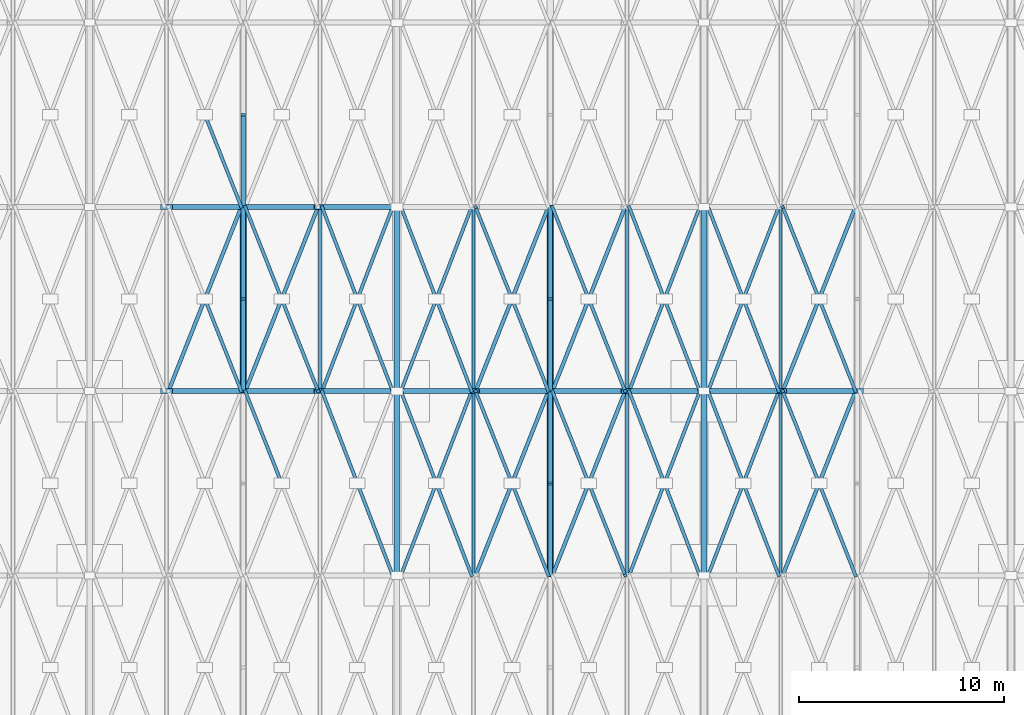
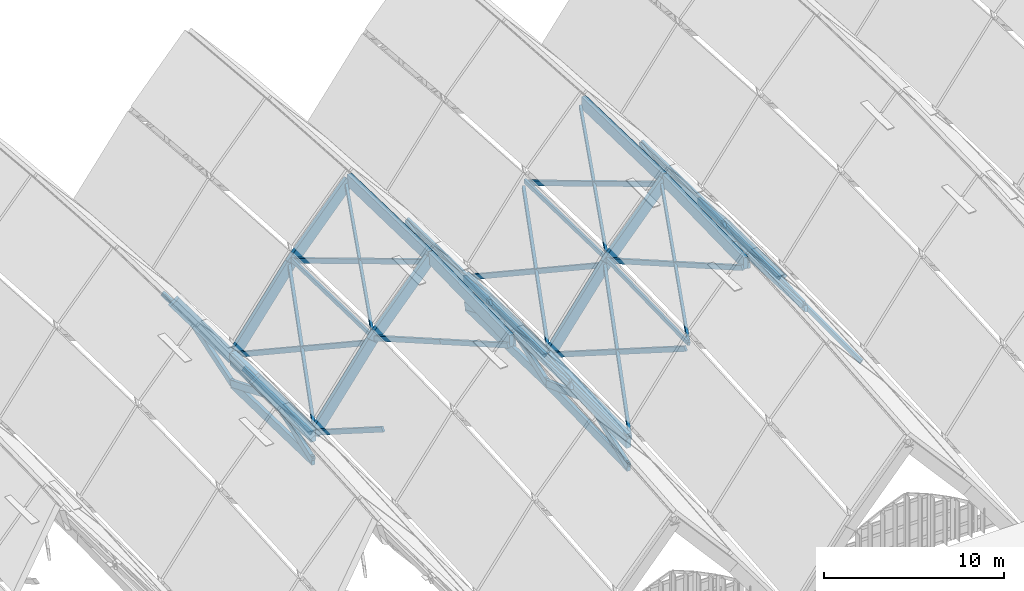
# One storey, part 37 of 93: 65 members, 19 beams.
"""IFC4 building model written with IfcOpenShell, lengths in metres."""

from ifc_helpers import new_model, si_unit, direction, frame, origin, origin_2d, place, context, subcontext, project, spatial, rectangle, extrude, material, material_profile, profile_set, type_object, element, save


model = new_model("IFC4")

# Units and contexts
model_context = context("Model", 3, precision=1e-05, world=origin(), true_north=direction((0.0, 1.0)))
body_context = subcontext(model_context, "Body", "Model", "MODEL_VIEW")
ifc_project = project(units=[si_unit("LENGTHUNIT", "METRE"), si_unit("AREAUNIT", "SQUARE_METRE"), si_unit("VOLUMEUNIT", "CUBIC_METRE"), si_unit("PLANEANGLEUNIT", "RADIAN"), si_unit("MASSUNIT", "GRAM", prefix="KILO")], contexts=[model_context])

# Site, building, storey
site_placement = place(None, origin())
site = spatial("IfcSite", under=ifc_project, at=site_placement, CompositionType="ELEMENT")
building_placement = place(site_placement, origin())
building = spatial("IfcBuilding", under=site, at=building_placement, Name="Vourika Railside Aquatics Centre", CompositionType="ELEMENT")
storey_placement = place(building_placement, frame((0.0, 0.0, 21.89990234375)))
storey = spatial("IfcBuildingStorey", under=building, at=storey_placement, Name="Roof", CompositionType="ELEMENT", Elevation=21.89990234375)

# Beams
ifc_material_1 = material(Name="Glulam GL32h", Category="wood")
ifc_material_profile_1 = material_profile(ifc_material_1, rectangle(XDim=0.239990234375, YDim=0.719970703125, at=origin_2d()), Name="GL32h 240x720")
ifc_profile_set_1 = profile_set([ifc_material_profile_1], Name="Glulam GL32h")
beam_type_1 = type_object("IfcBeamType", Name="BM-GL-ARCH-240x720", PredefinedType="BEAM", material=ifc_profile_set_1)
for number, where, z_axis, x_axis, name in (
    (1, (62.25, 39.0, -5.0), (0.592401494544, 0.0, -0.805642891896), (0.0, 1.0, 0.0), "Pointed Glulam Vault Arch Rib GAR-0050"),
    (2, (62.25, 48.0, -5.21435546875), (0.592401494544, 0.0, -0.805642891896), (0.0, 1.0, 0.0), "Pointed Glulam Vault Arch Rib GAR-0054"),
    (3, (66.0, 39.0, -10.099853515625), (0.592401494544, 0.0, 0.805642891896), (0.0, 1.0, 0.0), "Pointed Glulam Vault Arch Rib GAR-0081"),
):
    element("IfcBeam", number, at=place(storey_placement, frame(where, z_axis=z_axis, x_axis=x_axis)), inside=storey, type_object=beam_type_1, Name=name, PredefinedType="BEAM", context=body_context, shape_type="SweptSolid", body=[
        extrude(rectangle(XDim=0.239990234375, YDim=0.719970703125, at=origin_2d()), origin(), (0.0, 0.0, 1.0), 6.330078125),
    ])
for number, where, z_axis, x_axis, name in (
    (4, (69.75, 39.0, -5.0), (0.657258623263, 0.0, 0.75366511273), (0.0, 1.0, 0.0), "Pointed Glulam Vault Arch Rib GAR-0082"),
    (5, (73.5, 39.0, -0.699951171875), (0.657258623263, 0.0, -0.75366511273), (0.0, 1.0, 0.0), "Pointed Glulam Vault Arch Rib GAR-0083"),
):
    element("IfcBeam", number, at=place(storey_placement, frame(where, z_axis=z_axis, x_axis=x_axis)), inside=storey, type_object=beam_type_1, Name=name, PredefinedType="BEAM", context=body_context, shape_type="SweptSolid", body=[
        extrude(rectangle(XDim=0.239990234375, YDim=0.719970703125, at=origin_2d()), origin(), (0.0, 0.0, 1.0), 5.70556640625),
    ])
for number, where, z_axis, x_axis, name in (
    (6, (77.25, 39.0, -5.0), (0.592401494544, 0.0, -0.805642891896), (0.0, 1.0, 0.0), "Pointed Glulam Vault Arch Rib GAR-0084"),
    (7, (66.0, 48.0, -10.314208984375), (0.592401494544, 0.0, 0.805642891896), (0.0, 1.0, 0.0), "Pointed Glulam Vault Arch Rib GAR-0085"),
):
    element("IfcBeam", number, at=place(storey_placement, frame(where, z_axis=z_axis, x_axis=x_axis)), inside=storey, type_object=beam_type_1, Name=name, PredefinedType="BEAM", context=body_context, shape_type="SweptSolid", body=[
        extrude(rectangle(XDim=0.239990234375, YDim=0.719970703125, at=origin_2d()), origin(), (0.0, 0.0, 1.0), 6.330078125),
    ])
beam_1_placement = place(storey_placement, frame((69.75, 48.0, -5.21435546875), z_axis=(0.657258623263, 0.0, 0.75366511273), x_axis=(0.0, 1.0, 0.0)))
element("IfcBeam", 8, at=beam_1_placement, inside=storey, type_object=beam_type_1, Name="Pointed Glulam Vault Arch Rib GAR-0086", PredefinedType="BEAM", context=body_context, shape_type="SweptSolid", body=[
    extrude(rectangle(XDim=0.239990234375, YDim=0.719970703125, at=origin_2d()), origin(), (0.0, 0.0, 1.0), 5.70556640625),
])
beam_2_placement = place(storey_placement, frame((81.0, 39.0, -10.099853515625), z_axis=(0.592401494544, 0.0, 0.805642891896), x_axis=(0.0, 1.0, 0.0)))
element("IfcBeam", 9, at=beam_2_placement, inside=storey, type_object=beam_type_1, Name="Pointed Glulam Vault Arch Rib GAR-0115", PredefinedType="BEAM", context=body_context, shape_type="SweptSolid", body=[
    extrude(rectangle(XDim=0.239990234375, YDim=0.719970703125, at=origin_2d()), origin(), (0.0, 0.0, 1.0), 6.330078125),
])
for number, where, z_axis, x_axis, name in (
    (10, (84.75, 39.0, -5.0), (0.657258623263, 0.0, 0.75366511273), (0.0, 1.0, 0.0), "Pointed Glulam Vault Arch Rib GAR-0116"),
    (11, (88.5, 39.0, -0.699951171875), (0.657258623263, 0.0, -0.75366511273), (0.0, 1.0, 0.0), "Pointed Glulam Vault Arch Rib GAR-0117"),
):
    element("IfcBeam", number, at=place(storey_placement, frame(where, z_axis=z_axis, x_axis=x_axis)), inside=storey, type_object=beam_type_1, Name=name, PredefinedType="BEAM", context=body_context, shape_type="SweptSolid", body=[
        extrude(rectangle(XDim=0.239990234375, YDim=0.719970703125, at=origin_2d()), origin(), (0.0, 0.0, 1.0), 5.70556640625),
    ])
beam_3_placement = place(storey_placement, frame((92.25, 39.0, -5.0), z_axis=(0.592401494544, 0.0, -0.805642891896), x_axis=(0.0, 1.0, 0.0)))
element("IfcBeam", 12, at=beam_3_placement, inside=storey, type_object=beam_type_1, Name="Pointed Glulam Vault Arch Rib GAR-0118", PredefinedType="BEAM", context=body_context, shape_type="SweptSolid", body=[
    extrude(rectangle(XDim=0.239990234375, YDim=0.719970703125, at=origin_2d()), origin(), (0.0, 0.0, 1.0), 6.330078125),
])
ifc_material_profile_2 = material_profile(ifc_material_1, rectangle(XDim=0.280029296875, YDim=0.800048828125, at=origin_2d()), Name="GL32h 280x800")
ifc_profile_set_2 = profile_set([ifc_material_profile_2], Name="Glulam GL32h")
beam_type_2 = type_object("IfcBeamType", Name="BM-GL-RIDGE-280x800", PredefinedType="BEAM", material=ifc_profile_set_2)
for number, where, z_axis, x_axis, name in (
    (13, (73.5, 30.0, -0.914306640625), (0.0, 0.999716489335, 0.023810521854), (-1.0, 0.0, 0.0), "Vault Pointed Ridge Beam GRB-0099"),
    (14, (73.5, 39.0, -0.699951171875), (0.0, 0.999716489335, -0.023810521854), (-1.0, 0.0, 0.0), "Vault Pointed Ridge Beam GRB-0100"),
    (15, (88.5, 30.0, -0.914306640625), (0.0, 0.999716489335, 0.023810521854), (-1.0, 0.0, 0.0), "Vault Pointed Ridge Beam GRB-0133"),
    (16, (88.5, 39.0, -0.699951171875), (0.0, 0.999716489335, -0.023810521854), (-1.0, 0.0, 0.0), "Vault Pointed Ridge Beam GRB-0134"),
):
    element("IfcBeam", number, at=place(storey_placement, frame(where, z_axis=z_axis, x_axis=x_axis)), inside=storey, type_object=beam_type_2, Name=name, PredefinedType="BEAM", context=body_context, shape_type="SweptSolid", body=[
        extrude(rectangle(XDim=0.280029296875, YDim=0.800048828125, at=origin_2d()), origin(), (0.0, 0.0, 1.0), 9.00244140625),
    ])
ifc_material_profile_3 = material_profile(ifc_material_1, rectangle(XDim=0.320068359375, YDim=0.9599609375, at=origin_2d()), Name="GL32h 320x960")
ifc_profile_set_3 = profile_set([ifc_material_profile_3], Name="Glulam GL32h")
beam_type_3 = type_object("IfcBeamType", Name="BM-GL-VAL-320x960", PredefinedType="BEAM", material=ifc_profile_set_3)
for number, where, z_axis, x_axis, name in (
    (17, (66.0, 39.0, -10.099853515625), (0.0, 0.999716489335, -0.023810521854), (-1.0, 0.0, 0.0), "Vault Valley Arch Rib VTR-016"),
    (18, (81.0, 30.0, -10.314208984375), (0.0, 0.999716489335, 0.023810521854), (-1.0, 0.0, 0.0), "Vault Valley Arch Rib VTR-021"),
    (19, (81.0, 39.0, -10.099853515625), (0.0, 0.999716489335, -0.023810521854), (-1.0, 0.0, 0.0), "Vault Valley Arch Rib VTR-022"),
):
    element("IfcBeam", number, at=place(storey_placement, frame(where, z_axis=z_axis, x_axis=x_axis)), inside=storey, type_object=beam_type_3, Name=name, PredefinedType="BEAM", context=body_context, shape_type="SweptSolid", body=[
        extrude(rectangle(XDim=0.320068359375, YDim=0.9599609375, at=origin_2d()), origin(), (0.0, 0.0, 1.0), 9.00244140625),
    ])

# Members
ifc_material_profile_4 = material_profile(ifc_material_1, rectangle(XDim=0.219970703125, YDim=0.60009765625, at=origin_2d()), Name="GL32h 220x600")
ifc_profile_set_4 = profile_set([ifc_material_profile_4], Name="Glulam GL32h")
member_type_1 = type_object("IfcMemberType", Name="MEM-GL-CHORD", PredefinedType="CHORD", material=ifc_profile_set_4)
for number, where, z_axis, x_axis, name in (
    (20, (66.0, 39.0, -11.849853515625), (0.0, 0.999716489335, -0.023810521854), (-1.0, 0.0, 0.0), "Valley Arch Truss Bottom Chord VBC-016"),
    (21, (81.0, 30.0, -12.064208984375), (0.0, 0.999716489335, 0.023810521854), (-1.0, 0.0, 0.0), "Valley Arch Truss Bottom Chord VBC-021"),
    (22, (81.0, 39.0, -11.849853515625), (0.0, 0.999716489335, -0.023810521854), (-1.0, 0.0, 0.0), "Valley Arch Truss Bottom Chord VBC-022"),
):
    element("IfcMember", number, at=place(storey_placement, frame(where, z_axis=z_axis, x_axis=x_axis)), inside=storey, type_object=member_type_1, Name=name, PredefinedType="CHORD", context=body_context, shape_type="SweptSolid", body=[
        extrude(rectangle(XDim=0.219970703125, YDim=0.60009765625, at=origin_2d()), origin(), (0.0, 0.0, 1.0), 9.00244140625),
    ])
ifc_material_2 = material(Name="Glulam GL28h", Category="wood")
ifc_material_profile_5 = material_profile(ifc_material_2, rectangle(XDim=0.179931640625, YDim=0.360107421875, at=origin_2d()), Name="GL28h 180x360")
ifc_profile_set_5 = profile_set([ifc_material_profile_5], Name="Glulam GL28h")
member_type_2 = type_object("IfcMemberType", Name="MEM-GL-LATH1", PredefinedType="BRACE", material=ifc_profile_set_5)
member_1_placement = place(storey_placement, frame((62.344970703125, 39.0, -5.129150390625), z_axis=(0.326087343629, 0.824364547766, -0.462698753739), x_axis=(-0.929892910811, 0.367830360933, 0.0)))
element("IfcMember", 23, at=member_1_placement, inside=storey, type_object=member_type_2, Name="Gridshell Continuous Diagonal Lath GLA-0089", PredefinedType="BRACE", context=body_context, shape_type="SweptSolid", body=[
    extrude(rectangle(XDim=0.179931640625, YDim=0.360107421875, at=origin_2d()), origin(), (0.0, 0.0, 1.0), 10.91748046875),
])
for number, where, z_axis, x_axis, name in (
    (24, (77.344970703125, 30.0, -5.339111328125), (0.331795949467, 0.838796178929, -0.431662389064), (-0.929892910811, 0.367830360933, 0.0), "Gridshell Continuous Diagonal Lath GLA-0139"),
    (25, (66.094970703125, 39.0, -9.970703125), (0.331795949467, 0.838796178929, 0.431662389064), (-0.929892910811, 0.367830360933, 0.0), "Gridshell Continuous Diagonal Lath GLA-0143"),
):
    element("IfcMember", number, at=place(storey_placement, frame(where, z_axis=z_axis, x_axis=x_axis)), inside=storey, type_object=member_type_2, Name=name, PredefinedType="BRACE", context=body_context, shape_type="SweptSolid", body=[
        extrude(rectangle(XDim=0.179931640625, YDim=0.360107421875, at=origin_2d()), origin(), (0.0, 0.0, 1.0), 10.729736328125),
    ])
for number, where, z_axis, x_axis, name in (
    (26, (77.344970703125, 39.0, -5.129150390625), (0.326087343629, 0.824364547766, -0.462698753739), (-0.929892910811, 0.367830360933, 0.0), "Gridshell Continuous Diagonal Lath GLA-0149"),
    (27, (81.094970703125, 30.0, -10.1806640625), (0.326087343629, 0.824364547766, 0.462698753739), (-0.929892910811, 0.367830360933, 0.0), "Gridshell Continuous Diagonal Lath GLA-0193"),
):
    element("IfcMember", number, at=place(storey_placement, frame(where, z_axis=z_axis, x_axis=x_axis)), inside=storey, type_object=member_type_2, Name=name, PredefinedType="BRACE", context=body_context, shape_type="SweptSolid", body=[
        extrude(rectangle(XDim=0.179931640625, YDim=0.360107421875, at=origin_2d()), origin(), (0.0, 0.0, 1.0), 10.91748046875),
    ])
for number, where, z_axis, x_axis, name in (
    (28, (92.344970703125, 30.0, -5.339111328125), (0.331795949467, 0.838796178929, -0.431662389064), (-0.929892910811, 0.367830360933, 0.0), "Gridshell Continuous Diagonal Lath GLA-0199"),
    (29, (81.094970703125, 39.0, -9.970703125), (0.331795949467, 0.838796178929, 0.431662389064), (-0.929892910811, 0.367830360933, 0.0), "Gridshell Continuous Diagonal Lath GLA-0203"),
):
    element("IfcMember", number, at=place(storey_placement, frame(where, z_axis=z_axis, x_axis=x_axis)), inside=storey, type_object=member_type_2, Name=name, PredefinedType="BRACE", context=body_context, shape_type="SweptSolid", body=[
        extrude(rectangle(XDim=0.179931640625, YDim=0.360107421875, at=origin_2d()), origin(), (0.0, 0.0, 1.0), 10.729736328125),
    ])
member_2_placement = place(storey_placement, frame((92.344970703125, 39.0, -5.129150390625), z_axis=(0.326087343629, 0.824364547766, -0.462698753739), x_axis=(-0.929892910811, 0.367830360933, 0.0)))
element("IfcMember", 30, at=member_2_placement, inside=storey, type_object=member_type_2, Name="Gridshell Continuous Diagonal Lath GLA-0209", PredefinedType="BRACE", context=body_context, shape_type="SweptSolid", body=[
    extrude(rectangle(XDim=0.179931640625, YDim=0.360107421875, at=origin_2d()), origin(), (0.0, 0.0, 1.0), 10.91748046875),
])
ifc_material_profile_6 = material_profile(ifc_material_2, rectangle(XDim=0.159912109375, YDim=0.320068359375, at=origin_2d()), Name="GL28h 160x320")
ifc_profile_set_6 = profile_set([ifc_material_profile_6], Name="Glulam GL28h")
member_type_3 = type_object("IfcMemberType", Name="MEM-GL-LATH2", PredefinedType="BRACE", material=ifc_profile_set_6)
member_3_placement = place(storey_placement, frame((65.905029296875, 39.0, -9.970703125), z_axis=(-0.331792690542, 0.83878794021, 0.431680902823), x_axis=(-0.929892910811, -0.367830360933, 0.0)))
element("IfcMember", 31, at=member_3_placement, inside=storey, type_object=member_type_3, Name="Gridshell Split Counter Lath GLB1-0090", PredefinedType="BRACE", context=body_context, shape_type="SweptSolid", body=[
    extrude(rectangle(XDim=0.159912109375, YDim=0.320068359375, at=origin_2d()), origin(), (0.0, 0.0, 1.0), 5.364990234375),
])
member_4_placement = place(storey_placement, frame((65.905029296875, 48.0, -10.189453125), z_axis=(-0.336558619113, 0.85083643773, 0.403491824121), x_axis=(-0.929892910811, -0.367830360933, 0.0)))
element("IfcMember", 32, at=member_4_placement, inside=storey, type_object=member_type_3, Name="Gridshell Split Counter Lath GLB1-0100", PredefinedType="BRACE", context=body_context, shape_type="SweptSolid", body=[
    extrude(rectangle(XDim=0.159912109375, YDim=0.320068359375, at=origin_2d()), origin(), (0.0, 0.0, 1.0), 5.288818359375),
])
member_5_placement = place(storey_placement, frame((67.875, 34.5, -7.65478515625), z_axis=(-0.331792690542, 0.83878794021, -0.431680902823), x_axis=(-0.929892910811, -0.367830360933, 0.0)))
element("IfcMember", 33, at=member_5_placement, inside=storey, type_object=member_type_3, Name="Gridshell Split Counter Lath GLB2-0134", PredefinedType="BRACE", context=body_context, shape_type="SweptSolid", body=[
    extrude(rectangle(XDim=0.159912109375, YDim=0.320068359375, at=origin_2d()), origin(), (0.0, 0.0, 1.0), 5.364990234375),
])
for number, where, z_axis, x_axis, name in (
    (34, (73.300048828125, 30.0, -1.13916015625), (-0.333992041249, 0.870003010782, -0.362690057229), (-0.933569951957, -0.358395235463, 0.0), "Gridshell Split Counter Lath GLB1-0136"),
    (35, (71.572509765625, 34.5, -3.01513671875), (-0.333992041249, 0.870003010782, -0.362690057229), (-0.933569951957, -0.358395235463, 0.0), "Gridshell Split Counter Lath GLB2-0136"),
):
    element("IfcMember", number, at=place(storey_placement, frame(where, z_axis=z_axis, x_axis=x_axis)), inside=storey, type_object=member_type_3, Name=name, PredefinedType="BRACE", context=body_context, shape_type="SweptSolid", body=[
        extrude(rectangle(XDim=0.159912109375, YDim=0.320068359375, at=origin_2d()), origin(), (0.0, 0.0, 1.0), 5.17236328125),
    ])
member_6_placement = place(storey_placement, frame((73.699951171875, 30.0, -1.13916015625), z_axis=(0.333992041249, 0.870003010782, -0.362690057229), x_axis=(-0.933569951957, 0.358395235463, 0.0)))
element("IfcMember", 36, at=member_6_placement, inside=storey, type_object=member_type_3, Name="Gridshell Continuous Diagonal Lath GLA-0137", PredefinedType="BRACE", context=body_context, shape_type="SweptSolid", body=[
    extrude(rectangle(XDim=0.159912109375, YDim=0.320068359375, at=origin_2d()), origin(), (0.0, 0.0, 1.0), 10.3447265625),
])
for number, where, z_axis, x_axis, name in (
    (37, (77.155029296875, 30.0, -5.100830078125), (-0.328923766818, 0.856800857828, 0.397116413218), (-0.933569951957, -0.358395235463, 0.0), "Gridshell Split Counter Lath GLB1-0138"),
    (38, (75.427490234375, 34.5, -3.01513671875), (-0.328917694788, 0.856785041031, 0.397155565895), (-0.933569951957, -0.358395235463, 0.0), "Gridshell Split Counter Lath GLB2-0138"),
):
    element("IfcMember", number, at=place(storey_placement, frame(where, z_axis=z_axis, x_axis=x_axis)), inside=storey, type_object=member_type_3, Name=name, PredefinedType="BRACE", context=body_context, shape_type="SweptSolid", body=[
        extrude(rectangle(XDim=0.159912109375, YDim=0.320068359375, at=origin_2d()), origin(), (0.0, 0.0, 1.0), 5.252197265625),
    ])
for number, where, z_axis, x_axis, name in (
    (39, (80.905029296875, 30.0, -10.1806640625), (-0.326083969568, 0.824356017978, 0.462716328234), (-0.929892910811, -0.367830360933, 0.0), "Gridshell Split Counter Lath GLB1-0140"),
    (40, (79.125, 34.5, -7.65478515625), (-0.326090717631, 0.824373077407, 0.462681178699), (-0.929892910811, -0.367830360933, 0.0), "Gridshell Split Counter Lath GLB2-0140"),
    (41, (69.655029296875, 39.0, -5.129150390625), (-0.326090717631, 0.824373077407, -0.462681178699), (-0.929892910811, -0.367830360933, 0.0), "Gridshell Split Counter Lath GLB1-0144"),
    (42, (67.875, 43.5, -7.65478515625), (-0.326083969568, 0.824356017978, -0.462716328234), (-0.929892910811, -0.367830360933, 0.0), "Gridshell Split Counter Lath GLB2-0144"),
):
    element("IfcMember", number, at=place(storey_placement, frame(where, z_axis=z_axis, x_axis=x_axis)), inside=storey, type_object=member_type_3, Name=name, PredefinedType="BRACE", context=body_context, shape_type="SweptSolid", body=[
        extrude(rectangle(XDim=0.159912109375, YDim=0.320068359375, at=origin_2d()), origin(), (0.0, 0.0, 1.0), 5.458740234375),
    ])
member_7_placement = place(storey_placement, frame((69.844970703125, 39.0, -4.89111328125), z_axis=(0.333992041249, 0.870003010782, 0.362690057229), x_axis=(-0.933569951957, 0.358395235463, 0.0)))
element("IfcMember", 43, at=member_7_placement, inside=storey, type_object=member_type_3, Name="Gridshell Continuous Diagonal Lath GLA-0145", PredefinedType="BRACE", context=body_context, shape_type="SweptSolid", body=[
    extrude(rectangle(XDim=0.159912109375, YDim=0.320068359375, at=origin_2d()), origin(), (0.0, 0.0, 1.0), 10.3447265625),
])
for number, where, z_axis, x_axis, name in (
    (44, (73.300048828125, 39.0, -0.92919921875), (-0.328917694788, 0.856785041031, -0.397155565895), (-0.933569951957, -0.358395235463, 0.0), "Gridshell Split Counter Lath GLB1-0146"),
    (45, (71.572509765625, 43.5, -3.01513671875), (-0.328923766818, 0.856800857828, -0.397116413218), (-0.933569951957, -0.358395235463, 0.0), "Gridshell Split Counter Lath GLB2-0146"),
):
    element("IfcMember", number, at=place(storey_placement, frame(where, z_axis=z_axis, x_axis=x_axis)), inside=storey, type_object=member_type_3, Name=name, PredefinedType="BRACE", context=body_context, shape_type="SweptSolid", body=[
        extrude(rectangle(XDim=0.159912109375, YDim=0.320068359375, at=origin_2d()), origin(), (0.0, 0.0, 1.0), 5.252197265625),
    ])
member_8_placement = place(storey_placement, frame((73.699951171875, 39.0, -0.92919921875), z_axis=(0.32892073085, 0.856792949552, -0.397135989827), x_axis=(-0.933569951957, 0.358395235463, 0.0)))
element("IfcMember", 46, at=member_8_placement, inside=storey, type_object=member_type_3, Name="Gridshell Continuous Diagonal Lath GLA-0147", PredefinedType="BRACE", context=body_context, shape_type="SweptSolid", body=[
    extrude(rectangle(XDim=0.159912109375, YDim=0.320068359375, at=origin_2d()), origin(), (0.0, 0.0, 1.0), 10.50439453125),
])
for number, where, z_axis, x_axis, name in (
    (47, (77.155029296875, 39.0, -4.89111328125), (-0.333992041249, 0.870003010782, 0.362690057229), (-0.933569951957, -0.358395235463, 0.0), "Gridshell Split Counter Lath GLB1-0148"),
    (48, (75.427490234375, 43.5, -3.01513671875), (-0.333992041249, 0.870003010782, 0.362690057229), (-0.933569951957, -0.358395235463, 0.0), "Gridshell Split Counter Lath GLB2-0148"),
):
    element("IfcMember", number, at=place(storey_placement, frame(where, z_axis=z_axis, x_axis=x_axis)), inside=storey, type_object=member_type_3, Name=name, PredefinedType="BRACE", context=body_context, shape_type="SweptSolid", body=[
        extrude(rectangle(XDim=0.159912109375, YDim=0.320068359375, at=origin_2d()), origin(), (0.0, 0.0, 1.0), 5.17236328125),
    ])
member_9_placement = place(storey_placement, frame((80.905029296875, 39.0, -9.970703125), z_axis=(-0.331792690542, 0.83878794021, 0.431680902823), x_axis=(-0.929892910811, -0.367830360933, 0.0)))
element("IfcMember", 49, at=member_9_placement, inside=storey, type_object=member_type_3, Name="Gridshell Split Counter Lath GLB1-0150", PredefinedType="BRACE", context=body_context, shape_type="SweptSolid", body=[
    extrude(rectangle(XDim=0.159912109375, YDim=0.320068359375, at=origin_2d()), origin(), (0.0, 0.0, 1.0), 5.364990234375),
])
for number, where, z_axis, x_axis, name in (
    (50, (79.125, 43.5, -7.65478515625), (-0.331799208316, 0.838804417456, 0.43164387476), (-0.929892910811, -0.367830360933, 0.0), "Gridshell Split Counter Lath GLB2-0150"),
    (51, (84.655029296875, 30.0, -5.339111328125), (-0.331799208316, 0.838804417456, -0.43164387476), (-0.929892910811, -0.367830360933, 0.0), "Gridshell Split Counter Lath GLB1-0194"),
):
    element("IfcMember", number, at=place(storey_placement, frame(where, z_axis=z_axis, x_axis=x_axis)), inside=storey, type_object=member_type_3, Name=name, PredefinedType="BRACE", context=body_context, shape_type="SweptSolid", body=[
        extrude(rectangle(XDim=0.159912109375, YDim=0.320068359375, at=origin_2d()), origin(), (0.0, 0.0, 1.0), 5.36474609375),
    ])
member_10_placement = place(storey_placement, frame((82.875, 34.5, -7.65478515625), z_axis=(-0.331792690542, 0.83878794021, -0.431680902823), x_axis=(-0.929892910811, -0.367830360933, 0.0)))
element("IfcMember", 52, at=member_10_placement, inside=storey, type_object=member_type_3, Name="Gridshell Split Counter Lath GLB2-0194", PredefinedType="BRACE", context=body_context, shape_type="SweptSolid", body=[
    extrude(rectangle(XDim=0.159912109375, YDim=0.320068359375, at=origin_2d()), origin(), (0.0, 0.0, 1.0), 5.364990234375),
])
member_11_placement = place(storey_placement, frame((84.844970703125, 30.0, -5.100830078125), z_axis=(0.32892073085, 0.856792949552, 0.397135989827), x_axis=(-0.933569951957, 0.358395235463, 0.0)))
element("IfcMember", 53, at=member_11_placement, inside=storey, type_object=member_type_3, Name="Gridshell Continuous Diagonal Lath GLA-0195", PredefinedType="BRACE", context=body_context, shape_type="SweptSolid", body=[
    extrude(rectangle(XDim=0.159912109375, YDim=0.320068359375, at=origin_2d()), origin(), (0.0, 0.0, 1.0), 10.50439453125),
])
for number, where, z_axis, x_axis, name in (
    (54, (88.300048828125, 30.0, -1.13916015625), (-0.333992041249, 0.870003010782, -0.362690057229), (-0.933569951957, -0.358395235463, 0.0), "Gridshell Split Counter Lath GLB1-0196"),
    (55, (86.572509765625, 34.5, -3.01513671875), (-0.333992041249, 0.870003010782, -0.362690057229), (-0.933569951957, -0.358395235463, 0.0), "Gridshell Split Counter Lath GLB2-0196"),
):
    element("IfcMember", number, at=place(storey_placement, frame(where, z_axis=z_axis, x_axis=x_axis)), inside=storey, type_object=member_type_3, Name=name, PredefinedType="BRACE", context=body_context, shape_type="SweptSolid", body=[
        extrude(rectangle(XDim=0.159912109375, YDim=0.320068359375, at=origin_2d()), origin(), (0.0, 0.0, 1.0), 5.17236328125),
    ])
member_12_placement = place(storey_placement, frame((88.699951171875, 30.0, -1.13916015625), z_axis=(0.333992041249, 0.870003010782, -0.362690057229), x_axis=(-0.933569951957, 0.358395235463, 0.0)))
element("IfcMember", 56, at=member_12_placement, inside=storey, type_object=member_type_3, Name="Gridshell Continuous Diagonal Lath GLA-0197", PredefinedType="BRACE", context=body_context, shape_type="SweptSolid", body=[
    extrude(rectangle(XDim=0.159912109375, YDim=0.320068359375, at=origin_2d()), origin(), (0.0, 0.0, 1.0), 10.3447265625),
])
for number, where, z_axis, x_axis, name in (
    (57, (92.155029296875, 30.0, -5.100830078125), (-0.328923766818, 0.856800857828, 0.397116413218), (-0.933569951957, -0.358395235463, 0.0), "Gridshell Split Counter Lath GLB1-0198"),
    (58, (90.427490234375, 34.5, -3.01513671875), (-0.328917694788, 0.856785041031, 0.397155565895), (-0.933569951957, -0.358395235463, 0.0), "Gridshell Split Counter Lath GLB2-0198"),
):
    element("IfcMember", number, at=place(storey_placement, frame(where, z_axis=z_axis, x_axis=x_axis)), inside=storey, type_object=member_type_3, Name=name, PredefinedType="BRACE", context=body_context, shape_type="SweptSolid", body=[
        extrude(rectangle(XDim=0.159912109375, YDim=0.320068359375, at=origin_2d()), origin(), (0.0, 0.0, 1.0), 5.252197265625),
    ])
for number, where, z_axis, x_axis, name in (
    (59, (95.905029296875, 30.0, -10.1806640625), (-0.326083969568, 0.824356017978, 0.462716328234), (-0.929892910811, -0.367830360933, 0.0), "Gridshell Split Counter Lath GLB1-0200"),
    (60, (94.125, 34.5, -7.65478515625), (-0.326090717631, 0.824373077407, 0.462681178699), (-0.929892910811, -0.367830360933, 0.0), "Gridshell Split Counter Lath GLB2-0200"),
    (61, (84.655029296875, 39.0, -5.129150390625), (-0.326090717631, 0.824373077407, -0.462681178699), (-0.929892910811, -0.367830360933, 0.0), "Gridshell Split Counter Lath GLB1-0204"),
    (62, (82.875, 43.5, -7.65478515625), (-0.326083969568, 0.824356017978, -0.462716328234), (-0.929892910811, -0.367830360933, 0.0), "Gridshell Split Counter Lath GLB2-0204"),
):
    element("IfcMember", number, at=place(storey_placement, frame(where, z_axis=z_axis, x_axis=x_axis)), inside=storey, type_object=member_type_3, Name=name, PredefinedType="BRACE", context=body_context, shape_type="SweptSolid", body=[
        extrude(rectangle(XDim=0.159912109375, YDim=0.320068359375, at=origin_2d()), origin(), (0.0, 0.0, 1.0), 5.458740234375),
    ])
member_13_placement = place(storey_placement, frame((84.844970703125, 39.0, -4.89111328125), z_axis=(0.333992041249, 0.870003010782, 0.362690057229), x_axis=(-0.933569951957, 0.358395235463, 0.0)))
element("IfcMember", 63, at=member_13_placement, inside=storey, type_object=member_type_3, Name="Gridshell Continuous Diagonal Lath GLA-0205", PredefinedType="BRACE", context=body_context, shape_type="SweptSolid", body=[
    extrude(rectangle(XDim=0.159912109375, YDim=0.320068359375, at=origin_2d()), origin(), (0.0, 0.0, 1.0), 10.3447265625),
])
for number, where, z_axis, x_axis, name in (
    (64, (88.300048828125, 39.0, -0.92919921875), (-0.328917694788, 0.856785041031, -0.397155565895), (-0.933569951957, -0.358395235463, 0.0), "Gridshell Split Counter Lath GLB1-0206"),
    (65, (86.572509765625, 43.5, -3.01513671875), (-0.328923766818, 0.856800857828, -0.397116413218), (-0.933569951957, -0.358395235463, 0.0), "Gridshell Split Counter Lath GLB2-0206"),
):
    element("IfcMember", number, at=place(storey_placement, frame(where, z_axis=z_axis, x_axis=x_axis)), inside=storey, type_object=member_type_3, Name=name, PredefinedType="BRACE", context=body_context, shape_type="SweptSolid", body=[
        extrude(rectangle(XDim=0.159912109375, YDim=0.320068359375, at=origin_2d()), origin(), (0.0, 0.0, 1.0), 5.252197265625),
    ])
member_14_placement = place(storey_placement, frame((88.699951171875, 39.0, -0.92919921875), z_axis=(0.32892073085, 0.856792949552, -0.397135989827), x_axis=(-0.933569951957, 0.358395235463, 0.0)))
element("IfcMember", 66, at=member_14_placement, inside=storey, type_object=member_type_3, Name="Gridshell Continuous Diagonal Lath GLA-0207", PredefinedType="BRACE", context=body_context, shape_type="SweptSolid", body=[
    extrude(rectangle(XDim=0.159912109375, YDim=0.320068359375, at=origin_2d()), origin(), (0.0, 0.0, 1.0), 10.50439453125),
])
for number, where, z_axis, x_axis, name in (
    (67, (92.155029296875, 39.0, -4.89111328125), (-0.333992041249, 0.870003010782, 0.362690057229), (-0.933569951957, -0.358395235463, 0.0), "Gridshell Split Counter Lath GLB1-0208"),
    (68, (90.427490234375, 43.5, -3.01513671875), (-0.333992041249, 0.870003010782, 0.362690057229), (-0.933569951957, -0.358395235463, 0.0), "Gridshell Split Counter Lath GLB2-0208"),
):
    element("IfcMember", number, at=place(storey_placement, frame(where, z_axis=z_axis, x_axis=x_axis)), inside=storey, type_object=member_type_3, Name=name, PredefinedType="BRACE", context=body_context, shape_type="SweptSolid", body=[
        extrude(rectangle(XDim=0.159912109375, YDim=0.320068359375, at=origin_2d()), origin(), (0.0, 0.0, 1.0), 5.17236328125),
    ])
member_15_placement = place(storey_placement, frame((95.905029296875, 39.0, -9.970703125), z_axis=(-0.331792690542, 0.83878794021, 0.431680902823), x_axis=(-0.929892910811, -0.367830360933, 0.0)))
element("IfcMember", 69, at=member_15_placement, inside=storey, type_object=member_type_3, Name="Gridshell Split Counter Lath GLB1-0210", PredefinedType="BRACE", context=body_context, shape_type="SweptSolid", body=[
    extrude(rectangle(XDim=0.159912109375, YDim=0.320068359375, at=origin_2d()), origin(), (0.0, 0.0, 1.0), 5.364990234375),
])
member_16_placement = place(storey_placement, frame((94.125, 43.5, -7.65478515625), z_axis=(-0.331799208316, 0.838804417456, 0.43164387476), x_axis=(-0.929892910811, -0.367830360933, 0.0)))
element("IfcMember", 70, at=member_16_placement, inside=storey, type_object=member_type_3, Name="Gridshell Split Counter Lath GLB2-0210", PredefinedType="BRACE", context=body_context, shape_type="SweptSolid", body=[
    extrude(rectangle(XDim=0.159912109375, YDim=0.320068359375, at=origin_2d()), origin(), (0.0, 0.0, 1.0), 5.36474609375),
])
ifc_material_profile_7 = material_profile(ifc_material_2, rectangle(XDim=0.139892578125, YDim=0.280029296875, at=origin_2d()), Name="GL28h 140x280")
ifc_profile_set_7 = profile_set([ifc_material_profile_7], Name="Glulam GL28h")
member_type_4 = type_object("IfcMemberType", Name="MEM-GL-PURLIN", PredefinedType="PURLIN", material=ifc_profile_set_7)
for number, where, z_axis, x_axis, name in (
    (71, (77.25, 30.0, -4.9443359375), (0.0, 0.999716489335, 0.023810521854), (-1.0, 0.0, 0.0), "Vault Timber Purlin GTP-0132"),
    (72, (69.75, 39.0, -4.72998046875), (0.0, 0.999716489335, -0.023810521854), (-1.0, 0.0, 0.0), "Vault Timber Purlin GTP-0141"),
    (73, (77.25, 39.0, -4.72998046875), (0.0, 0.999716489335, -0.023810521854), (-1.0, 0.0, 0.0), "Vault Timber Purlin GTP-0142"),
    (74, (84.75, 30.0, -4.9443359375), (0.0, 0.999716489335, 0.023810521854), (-1.0, 0.0, 0.0), "Vault Timber Purlin GTP-0191"),
    (75, (92.25, 30.0, -4.9443359375), (0.0, 0.999716489335, 0.023810521854), (-1.0, 0.0, 0.0), "Vault Timber Purlin GTP-0192"),
    (76, (84.75, 39.0, -4.72998046875), (0.0, 0.999716489335, -0.023810521854), (-1.0, 0.0, 0.0), "Vault Timber Purlin GTP-0201"),
    (77, (92.25, 39.0, -4.72998046875), (0.0, 0.999716489335, -0.023810521854), (-1.0, 0.0, 0.0), "Vault Timber Purlin GTP-0202"),
):
    element("IfcMember", number, at=place(storey_placement, frame(where, z_axis=z_axis, x_axis=x_axis)), inside=storey, type_object=member_type_4, Name=name, PredefinedType="PURLIN", context=body_context, shape_type="SweptSolid", body=[
        extrude(rectangle(XDim=0.139892578125, YDim=0.280029296875, at=origin_2d()), origin(), (0.0, 0.0, 1.0), 9.00244140625),
    ])
ifc_material_profile_8 = material_profile(ifc_material_2, rectangle(XDim=0.219970703125, YDim=0.43994140625, at=origin_2d()), Name="GL28h 220x440")
ifc_profile_set_8 = profile_set([ifc_material_profile_8], Name="Glulam GL28h")
member_type_5 = type_object("IfcMemberType", Name="MEM-GL-STRUT2", PredefinedType="STRUT", material=ifc_profile_set_8)
member_17_placement = place(storey_placement, frame((66.0, 39.0, -11.849853515625), z_axis=(0.0, 0.939359665163, 0.342933549635), x_axis=(-1.0, 0.0, 0.0)))
element("IfcMember", 78, at=member_17_placement, inside=storey, type_object=member_type_5, Name="Valley Truss Web Strut VWA-016", PredefinedType="STRUT", context=body_context, shape_type="SweptSolid", body=[
    extrude(rectangle(XDim=0.219970703125, YDim=0.43994140625, at=origin_2d()), origin(), (0.0, 0.0, 1.0), 4.79052734375),
])
member_18_placement = place(storey_placement, frame((66.0, 43.5, -10.20703125), z_axis=(0.0, 0.924371407103, -0.381493776792), x_axis=(-1.0, 0.0, 0.0)))
element("IfcMember", 79, at=member_18_placement, inside=storey, type_object=member_type_5, Name="Valley Truss Web Strut VWB-016", PredefinedType="STRUT", context=body_context, shape_type="SweptSolid", body=[
    extrude(rectangle(XDim=0.219970703125, YDim=0.43994140625, at=origin_2d()), origin(), (0.0, 0.0, 1.0), 4.8681640625),
])
member_19_placement = place(storey_placement, frame((66.0, 48.0, -12.064208984375), z_axis=(0.0, 0.95137335537, 0.308040157598), x_axis=(-1.0, 0.0, 0.0)))
element("IfcMember", 80, at=member_19_placement, inside=storey, type_object=member_type_5, Name="Valley Truss Web Strut VWA-017", PredefinedType="STRUT", context=body_context, shape_type="SweptSolid", body=[
    extrude(rectangle(XDim=0.219970703125, YDim=0.43994140625, at=origin_2d()), origin(), (0.0, 0.0, 1.0), 4.72998046875),
])
member_20_placement = place(storey_placement, frame((81.0, 30.0, -12.064208984375), z_axis=(0.0, 0.924371407103, 0.381493776792), x_axis=(-1.0, 0.0, 0.0)))
element("IfcMember", 81, at=member_20_placement, inside=storey, type_object=member_type_5, Name="Valley Truss Web Strut VWA-021", PredefinedType="STRUT", context=body_context, shape_type="SweptSolid", body=[
    extrude(rectangle(XDim=0.219970703125, YDim=0.43994140625, at=origin_2d()), origin(), (0.0, 0.0, 1.0), 4.8681640625),
])
for number, where, z_axis, x_axis, name in (
    (82, (81.0, 34.5, -10.20703125), (0.0, 0.939359665163, -0.342933549635), (-1.0, 0.0, 0.0), "Valley Truss Web Strut VWB-021"),
    (83, (81.0, 39.0, -11.849853515625), (0.0, 0.939359665163, 0.342933549635), (-1.0, 0.0, 0.0), "Valley Truss Web Strut VWA-022"),
):
    element("IfcMember", number, at=place(storey_placement, frame(where, z_axis=z_axis, x_axis=x_axis)), inside=storey, type_object=member_type_5, Name=name, PredefinedType="STRUT", context=body_context, shape_type="SweptSolid", body=[
        extrude(rectangle(XDim=0.219970703125, YDim=0.43994140625, at=origin_2d()), origin(), (0.0, 0.0, 1.0), 4.79052734375),
    ])
member_21_placement = place(storey_placement, frame((81.0, 43.5, -10.20703125), z_axis=(0.0, 0.924371407103, -0.381493776792), x_axis=(-1.0, 0.0, 0.0)))
element("IfcMember", 84, at=member_21_placement, inside=storey, type_object=member_type_5, Name="Valley Truss Web Strut VWB-022", PredefinedType="STRUT", context=body_context, shape_type="SweptSolid", body=[
    extrude(rectangle(XDim=0.219970703125, YDim=0.43994140625, at=origin_2d()), origin(), (0.0, 0.0, 1.0), 4.8681640625),
])

save(model, "model.ifc")
